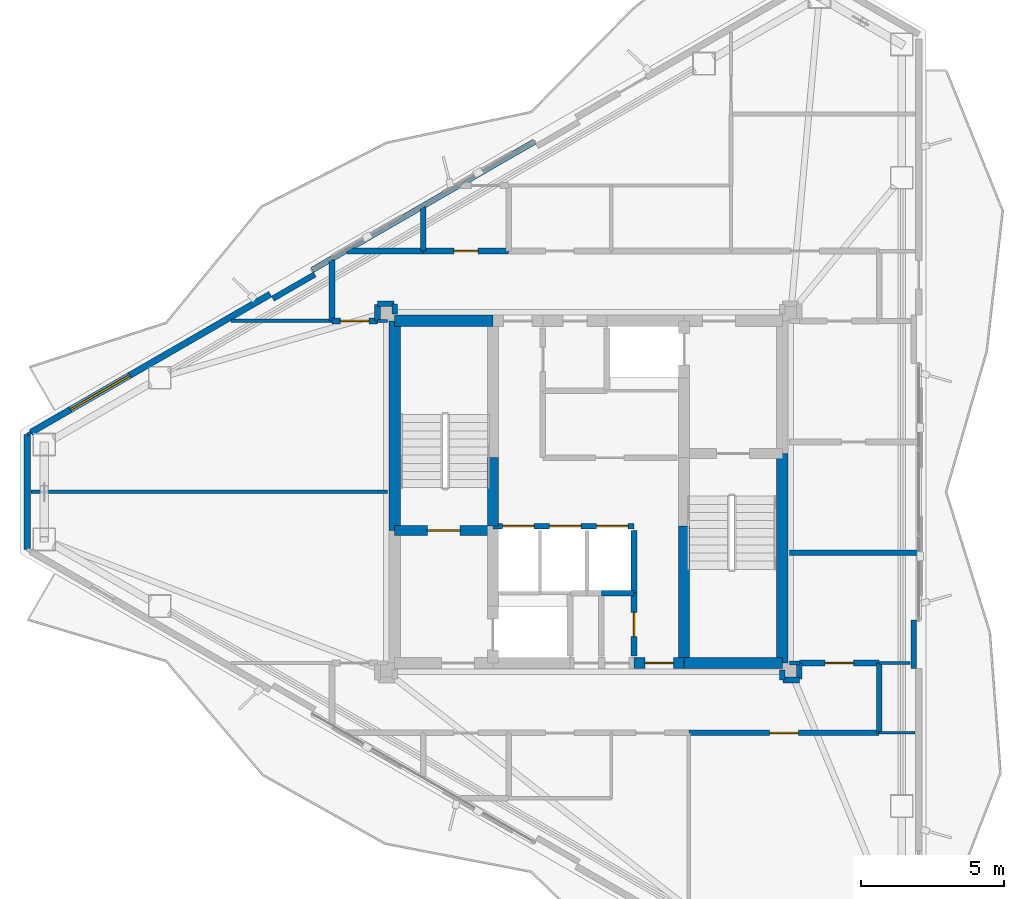
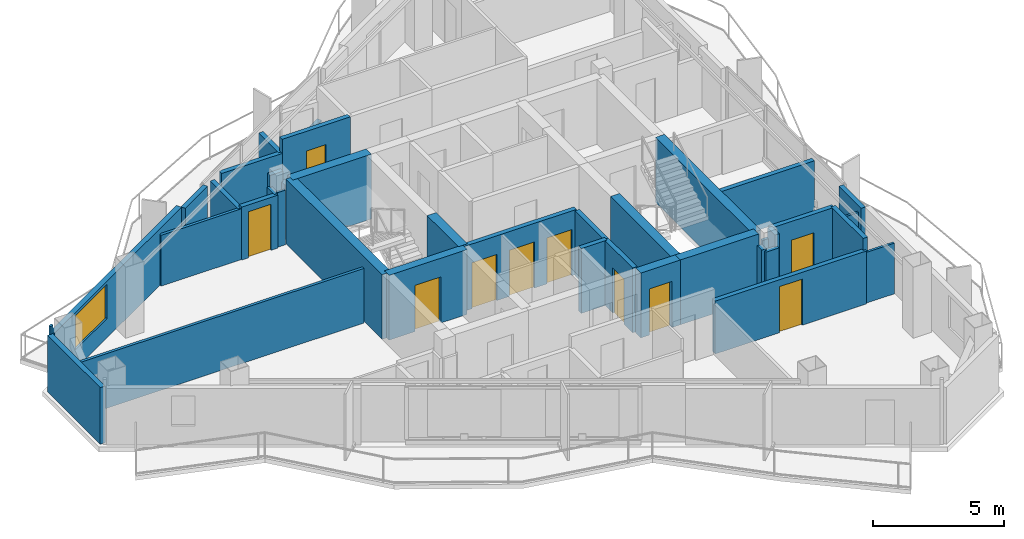
# One storey, part 17 of 21: 39 walls, 10 doors, 1 window, 11 openings.
"""IFC4 building model written with IfcOpenShell, lengths in metres."""

import ifcopenshell
import ifcopenshell.guid

model = None  # the IFC model being written
_history = None  # IfcOwnerHistory: only IFC2X3 demands one
_inside = {}  # id of a spatial element -> (the spatial element, [elements in it])
_under = {}  # id of a project, library or spatial element -> (it, [spatial elements below it])
_declared = {}  # id of a project -> (the project, [libraries it declares])
_typed = {}  # id of a type object -> (the type object, [elements of that type])
_made_of = {}  # id of a material, layer set ... -> (it, [elements and type objects made of it])


def new_model(schema):
    """Start an empty IFC model of exactly this schema.

    Asked for "IFC4X3", IfcOpenShell would pick the latest addendum, in which some entities
    have other attributes; the version numbers below select the first issue.
    IFC2X3 requires an IfcOwnerHistory on every rooted entity: one is made here for all.
    """
    global model, _history
    if schema == "IFC4X3":
        model = ifcopenshell.file(schema_version=(4, 3, 0, 0))
    else:
        model = ifcopenshell.file(schema=schema)
    _inside.clear()
    _under.clear()
    _declared.clear()
    _typed.clear()
    _made_of.clear()
    _history = None
    if model.schema == "IFC2X3":
        org = make("IfcOrganization", Name="unknown")
        user = make(
            "IfcPersonAndOrganization",
            ThePerson=make("IfcPerson", FamilyName="unknown"),
            TheOrganization=org,
        )
        app = make(
            "IfcApplication",
            ApplicationDeveloper=org,
            Version="unknown",
            ApplicationFullName="unknown",
            ApplicationIdentifier="unknown",
        )
        _history = make(
            "IfcOwnerHistory",
            OwningUser=user,
            OwningApplication=app,
            ChangeAction="ADDED",
            CreationDate=0,
        )
    return model


def make(cls, **values):
    """One entity of the class cls with the attributes given. An attribute that is None is left unset."""
    return model.create_entity(
        cls, **{name: value for name, value in values.items() if value is not None}
    )


def rooted(cls, **values):
    """An entity with a GlobalId (a new one), such as an element, a storey or a relation."""
    return make(cls, GlobalId=ifcopenshell.guid.new(), OwnerHistory=_history, **values)


def si_unit(unit_type, name, prefix=None):
    """IfcSIUnit, for example si_unit("LENGTHUNIT", "METRE", prefix="MILLI")."""
    return make("IfcSIUnit", UnitType=unit_type, Prefix=prefix, Name=name)


def assignment(units):
    """IfcUnitAssignment: the units of a project."""
    return None if units is None else make("IfcUnitAssignment", Units=units)


def point(xyz):
    """IfcCartesianPoint."""
    return None if xyz is None else make("IfcCartesianPoint", Coordinates=xyz)


def direction(xyz):
    """IfcDirection."""
    return None if xyz is None else make("IfcDirection", DirectionRatios=xyz)


def frame(location, z_axis=None, x_axis=None):
    """IfcAxis2Placement3D, a coordinate frame: its origin and axes. An axis left out is left unset."""
    return make(
        "IfcAxis2Placement3D",
        Location=point(location),
        Axis=direction(z_axis),
        RefDirection=direction(x_axis),
    )


def frame_2d(location, x_axis=None):
    """IfcAxis2Placement2D, a coordinate frame in the plane: its origin and x axis."""
    return make(
        "IfcAxis2Placement2D", Location=point(location), RefDirection=direction(x_axis)
    )


def origin():
    """The frame at (0, 0, 0) with its axes left unset."""
    return frame((0.0, 0.0, 0.0))


def place(relative_to, where):
    """IfcLocalPlacement: puts the frame where relative to a parent placement (None: the world)."""
    return make(
        "IfcLocalPlacement", PlacementRelTo=relative_to, RelativePlacement=where
    )


def context(
    kind, dimensions, precision=None, world=None, true_north=None, identifier=None
):
    """IfcGeometricRepresentationContext, for example the 3D "Model" context."""
    return make(
        "IfcGeometricRepresentationContext",
        ContextIdentifier=identifier,
        ContextType=kind,
        CoordinateSpaceDimension=dimensions,
        Precision=precision,
        WorldCoordinateSystem=world,
        TrueNorth=true_north,
    )


def subcontext(parent, identifier, kind, view, scale=None):
    """IfcGeometricRepresentationSubContext, for example "Body" below "Model"."""
    return make(
        "IfcGeometricRepresentationSubContext",
        ContextIdentifier=identifier,
        ContextType=kind,
        ParentContext=parent,
        TargetScale=scale,
        TargetView=view,
    )


def project(units=None, contexts=None):
    """IfcProject with its units and contexts."""
    return rooted(
        "IfcProject",
        Name="project",
        RepresentationContexts=contexts,
        UnitsInContext=assignment(units),
    )


def spatial(cls, under=None, at=None, **own):
    """A site, building, storey or space (cls), placed at a placement, below another one or the project."""
    s = rooted(cls, ObjectPlacement=at, **own)
    if under is not None:
        _under.setdefault(under.id(), (under, []))[1].append(s)
    return s


def profile(cls, at=None, kind="AREA", **sizes):
    """A parametric profile (cls). Its sizes go by their IFC names, for example OverallWidth=200.0."""
    return make(cls, ProfileType=kind, Position=at, **sizes)


def rectangle(**sizes):
    """IfcRectangleProfileDef."""
    return profile("IfcRectangleProfileDef", **sizes)


def extrude(swept, where, along, depth):
    """IfcExtrudedAreaSolid: the profile swept, set in the frame where, extruded along a direction by depth."""
    return make(
        "IfcExtrudedAreaSolid",
        SweptArea=swept,
        Position=where,
        ExtrudedDirection=direction(along),
        Depth=depth,
    )


def shape(context_of_items, identifier, shape_type, items):
    """IfcShapeRepresentation: the items that make up one representation, for example the "Body"."""
    return make(
        "IfcShapeRepresentation",
        ContextOfItems=context_of_items,
        RepresentationIdentifier=identifier,
        RepresentationType=shape_type,
        Items=items,
    )


def material(Name=None, Category=None):
    """IfcMaterial."""
    return make("IfcMaterial", Name=Name, Category=Category)


def layer(
    of_material, thickness, ventilated=None, Name=None, Category=None, Priority=None
):
    """IfcMaterialLayer: one layer of a wall or slab, of a material (None: an air gap)."""
    return make(
        "IfcMaterialLayer",
        Material=of_material,
        LayerThickness=thickness,
        IsVentilated=ventilated,
        Name=Name,
        Category=Category,
        Priority=Priority,
    )


def layer_set(layers, Name=None):
    """IfcMaterialLayerSet."""
    return make("IfcMaterialLayerSet", MaterialLayers=layers, LayerSetName=Name)


def made_of(thing, what):
    """Note that an element or type object is made of a material, layer set ...; save() writes the relation."""
    if what is not None:
        _made_of.setdefault(what.id(), (what, []))[1].append(thing)
    return thing


def type_object(cls, material=None, **own):
    """A type object (cls), such as IfcWallType, which elements share."""
    return made_of(rooted(cls, **own), material)


def element(
    cls,
    number,
    at=None,
    inside=None,
    cuts=None,
    type_object=None,
    material=None,
    context=None,
    identifier="Body",
    shape_type=None,
    held_by="IfcProductDefinitionShape",
    body=None,
    shapes=None,
    **own,
):
    """One element of the class cls, such as IfcWall. Its Tag is "e" and its number.

    at: its placement. inside: the storey or other place that contains it. cuts: it is an
    opening in that element (IfcRelVoidsElement). A single representation is given by context,
    identifier, shape_type and body (its items); several are given by shapes. held_by: the class
    of the entity that holds the representations. save() writes the other relations.
    """
    e = rooted(cls, Tag="e%d" % number, ObjectPlacement=at, **own)
    if body is not None:
        shapes = [shape(context, identifier, shape_type, body)]
    if shapes is not None:
        e.Representation = make(held_by, Representations=shapes)
    if inside is not None:
        _inside.setdefault(inside.id(), (inside, []))[1].append(e)
    if cuts is not None:
        rooted(
            "IfcRelVoidsElement", RelatingBuildingElement=cuts, RelatedOpeningElement=e
        )
    if type_object is not None:
        _typed.setdefault(type_object.id(), (type_object, []))[1].append(e)
    return made_of(e, material)


def fill(opening, filler):
    """IfcRelFillsElement: the door or window that sits in an opening."""
    return rooted(
        "IfcRelFillsElement",
        RelatingOpeningElement=opening,
        RelatedBuildingElement=filler,
    )


def aggregate(whole, parts):
    """IfcRelAggregates: a whole, such as a stair, and the parts it consists of."""
    return rooted("IfcRelAggregates", RelatingObject=whole, RelatedObjects=parts)


def save(model, path):
    """Write the relations noted so far, then the file.

    IfcRelAggregates (storeys below a building ...), IfcRelContainedInSpatialStructure (elements
    in a storey), IfcRelDefinesByType, IfcRelAssociatesMaterial and IfcRelDeclares: one each for
    every whole, place, type object, material and project.
    """
    for whole, parts in _under.values():
        aggregate(whole, parts)
    for where, things in _inside.values():
        rooted(
            "IfcRelContainedInSpatialStructure",
            RelatedElements=things,
            RelatingStructure=where,
        )
    for kind, things in _typed.values():
        rooted("IfcRelDefinesByType", RelatedObjects=things, RelatingType=kind)
    for what, things in _made_of.values():
        rooted("IfcRelAssociatesMaterial", RelatedObjects=things, RelatingMaterial=what)
    for by, libraries in _declared.values():
        rooted("IfcRelDeclares", RelatingContext=by, RelatedDefinitions=libraries)
    model.write(path)


model = new_model("IFC4")

# Units and contexts
model_context = context("Model", 3, precision=1e-05, world=origin(), true_north=direction((0.0, 1.0)))
body_context = subcontext(model_context, "Body", "Model", "MODEL_VIEW")
ifc_project = project(units=[si_unit("LENGTHUNIT", "METRE"), si_unit("AREAUNIT", "SQUARE_METRE"), si_unit("VOLUMEUNIT", "CUBIC_METRE"), si_unit("PLANEANGLEUNIT", "RADIAN"), si_unit("MASSUNIT", "GRAM", prefix="KILO")], contexts=[model_context])

# Site, building, storey
site_placement = place(None, origin())
site = spatial("IfcSite", under=ifc_project, at=site_placement, CompositionType="ELEMENT")
building_placement = place(site_placement, origin())
building = spatial("IfcBuilding", under=site, at=building_placement, Name="Mersakhor Tower and Convention Hall", CompositionType="ELEMENT")
storey_placement = place(building_placement, frame((0.0, 0.0, 215.10009765625)))
storey = spatial("IfcBuildingStorey", under=building, at=storey_placement, Name="L60", CompositionType="ELEMENT", Elevation=215.10009765625)

# Wall
ifc_material_1 = material(Name="Precast concrete C40/50", Category="concrete")
ifc_layer_1 = layer(ifc_material_1, 0.22509765625)
ifc_layer_set_1 = layer_set([ifc_layer_1], Name="Precast concrete C40/50")
wall_type_1 = type_object("IfcWallType", Name="WL-EXT-225", PredefinedType="SOLIDWALL", material=ifc_layer_set_1)
wall_1_placement = place(storey_placement, frame((9.3076171875, 24.73828125, 0.0), z_axis=(0.0, 0.0, 1.0), x_axis=(0.0, 1.0, 0.0)))
element("IfcWall", 1, at=wall_1_placement, inside=storey, type_object=wall_type_1, Name="L60 Chamfer Braced Spandrel Wall C3", PredefinedType="SOLIDWALL", context=body_context, shape_type="SweptSolid", body=[
    extrude(rectangle(XDim=4.0234375, YDim=0.22509765625, at=frame_2d((2.01171875, 0.0))), origin(), (0.0, 0.0, 1.0), 2.639892578125),
])

# Wall, opening, window
wall_2_placement = place(storey_placement, frame((9.4375, 28.836669921875, 0.0), z_axis=(0.0, 0.0, 1.0), x_axis=(0.866027133173, 0.499997004599, 0.0)))
wall_2 = element("IfcWall", 2, at=wall_2_placement, inside=storey, type_object=wall_type_1, Name="L60 Exterior Facade Wall F1-B1", PredefinedType="SOLIDWALL", context=body_context, shape_type="SweptSolid", body=[
    extrude(rectangle(XDim=9.69873046875, YDim=0.22509765625, at=frame_2d((4.849365234375, 0.0))), origin(), (0.0, 0.0, 1.0), 2.639892578125),
])
opening_1_placement = place(wall_2_placement, frame((1.60595703125, 0.0, 0.89990234375)))
opening_1 = element("IfcOpeningElement", 3, at=opening_1_placement, cuts=wall_2, Name="Opening W-05", PredefinedType="OPENING", context=body_context, shape_type="SweptSolid", body=[
    extrude(rectangle(XDim=2.39990234375, YDim=1.60009765625, at=frame_2d((1.199951171875, 0.800048828125))), frame((0.0, 0.12255859375, 0.0), z_axis=(0.0, -1.0, 0.0), x_axis=(1.0, 0.0, 0.0)), (0.0, 0.0, 1.0), 0.2451171875),
])
ifc_material_2 = material(Name="Dark solar low-E glazed aluminium window", Category="aluminium")
window_type = type_object("IfcWindowType", Name="WN-RES-240x160", PartitioningType="SINGLE_PANEL", PredefinedType="WINDOW", material=ifc_material_2)
window_placement = place(opening_1_placement, origin())
window = element("IfcWindow", 4, at=window_placement, inside=storey, type_object=window_type, Name="L60 Facade Punched Window F1-B1", OverallHeight=1.60009765625, OverallWidth=2.39990234375, PartitioningType="SINGLE_PANEL", PredefinedType="WINDOW", context=body_context, shape_type="SweptSolid", body=[
    extrude(rectangle(XDim=2.39990234375, YDim=1.60009765625, at=frame_2d((1.199951171875, 0.800048828125))), frame((0.0, 0.030029296875, 0.0), z_axis=(0.0, -1.0, 0.0), x_axis=(1.0, 0.0, 0.0)), (0.0, 0.0, 1.0), 0.06005859375),
])
fill(opening_1, window)

# Walls
ifc_material_3 = material(Name="Precast concrete C40/50", Category="concrete")
ifc_layer_2 = layer(ifc_material_3, 0.199951171875)
ifc_layer_set_2 = layer_set([ifc_layer_2], Name="Precast concrete C40/50")
wall_type_2 = type_object("IfcWallType", Name="WL-PAR-200", PredefinedType="PARAPET", material=ifc_layer_set_2)
wall_3_placement = place(storey_placement, frame((19.30908203125, 34.5361328125, 0.0), z_axis=(0.0, 0.0, 1.0), x_axis=(0.866020680503, 0.500008180874, 0.0)))
element("IfcWall", 5, at=wall_3_placement, inside=storey, type_object=wall_type_2, Name="L60 Curtain Wall Upstand Sill F1-B2", PredefinedType="PARAPET", context=body_context, shape_type="SweptSolid", body=[
    extrude(rectangle(XDim=8.998779296875, YDim=0.199951171875, at=frame_2d((4.49951171875, 0.0))), origin(), (0.0, 0.0, 1.0), 0.199951171875),
])
for number, where, z_axis, x_axis, name in (
    (6, (17.927001953125, 33.5302734375, 0.0), (0.0, 0.0, 1.0), (0.86605165483, 0.499954529098, 0.0), "L60 Column Pier Cladding Wall F1-C1"),
    (7, (40.408447265625, 22.25048828125, 0.0), (0.0, 0.0, 1.0), (0.0, -1.0, 0.0), "L60 Column Pier Cladding Wall F2-C2"),
):
    element("IfcWall", number, at=place(storey_placement, frame(where, z_axis=z_axis, x_axis=x_axis)), inside=storey, type_object=wall_type_2, Name=name, PredefinedType="PARAPET", context=body_context, shape_type="SweptSolid", body=[
        extrude(rectangle(XDim=1.699951171875, YDim=0.199951171875, at=frame_2d((0.85009765625, 0.0))), origin(), (0.0, 0.0, 1.0), 2.639892578125),
    ])
ifc_material_4 = material(Name="Lightweight gypsum partition", Category="other")
ifc_layer_3 = layer(ifc_material_4, 0.10009765625)
ifc_layer_set_3 = layer_set([ifc_layer_3], Name="Lightweight gypsum partition")
wall_type_3 = type_object("IfcWallType", Name="WL-PRT-100", PredefinedType="PARTITIONING", material=ifc_layer_set_3)
wall_4_placement = place(storey_placement, frame((21.60009765625, 32.75, 0.0), z_axis=(0.0, 0.0, 1.0), x_axis=(1.0, 0.0, 0.0)))
element("IfcWall", 8, at=wall_4_placement, inside=storey, type_object=wall_type_3, Name="L60 Interior Partition Wall P-052", PredefinedType="PARTITIONING", context=body_context, shape_type="SweptSolid", body=[
    extrude(rectangle(XDim=0.349853515625, YDim=0.10009765625, at=frame_2d((0.1748046875, 0.0))), origin(), (0.0, 0.0, 1.0), 2.544921875),
])
wall_5_placement = place(storey_placement, frame((9.306884765625, 28.761962890625, 0.0), z_axis=(0.0, 0.0, 1.0), x_axis=(0.865833797362, 0.500331725305, 0.0)))
element("IfcWall", 9, at=wall_5_placement, inside=storey, type_object=wall_type_3, Name="L60 Interior Partition Wall P-054", PredefinedType="PARTITIONING", context=body_context, shape_type="SweptSolid", body=[
    extrude(rectangle(XDim=0.150390625, YDim=0.10009765625, at=frame_2d((0.0751953125, 0.0))), origin(), (0.0, 0.0, 1.0), 3.02001953125),
])
wall_6_placement = place(storey_placement, frame((40.284423828125, 20.75, 0.0), z_axis=(0.0, 0.0, 1.0), x_axis=(-1.0, 0.0, 0.0)))
element("IfcWall", 10, at=wall_6_placement, inside=storey, type_object=wall_type_3, Name="L60 Interior Partition Wall P-058", PredefinedType="PARTITIONING", context=body_context, shape_type="SweptSolid", body=[
    extrude(rectangle(XDim=1.08447265625, YDim=0.10009765625, at=frame_2d((0.542236328125, 0.0))), origin(), (0.0, 0.0, 1.0), 2.364990234375),
])
wall_7_placement = place(storey_placement, frame((39.199951171875, 18.300048828125, 0.0), z_axis=(0.0, 0.0, 1.0), x_axis=(1.0, 0.0, 0.0)))
element("IfcWall", 11, at=wall_7_placement, inside=storey, type_object=wall_type_3, Name="L60 Interior Partition Wall P-078", PredefinedType="PARTITIONING", context=body_context, shape_type="SweptSolid", body=[
    extrude(rectangle(XDim=1.251953125, YDim=0.10009765625, at=frame_2d((0.6259765625, 0.0))), origin(), (0.0, 0.0, 1.0), 2.364990234375),
])
ifc_material_5 = material(Name="Gypsum board acoustic partition", Category="other")
ifc_layer_4 = layer(ifc_material_5, 0.125)
ifc_layer_set_4 = layer_set([ifc_layer_4], Name="Gypsum board acoustic partition")
wall_type_4 = type_object("IfcWallType", Name="WL-PRT-125", PredefinedType="PARTITIONING", material=ifc_layer_set_4)
wall_8_placement = place(storey_placement, frame((16.463623046875, 32.75, 0.0), z_axis=(0.0, 0.0, 1.0), x_axis=(1.0, 0.0, 0.0)))
element("IfcWall", 12, at=wall_8_placement, inside=storey, type_object=wall_type_4, Name="L60 Interior Partition Wall P-051", PredefinedType="PARTITIONING", context=body_context, shape_type="SweptSolid", body=[
    extrude(rectangle(XDim=3.536376953125, YDim=0.125, at=frame_2d((1.76806640625, 0.0))), origin(), (0.0, 0.0, 1.0), 2.364990234375),
])
wall_9_placement = place(storey_placement, frame((21.949951171875, 26.75, 0.0), z_axis=(0.0, 0.0, 1.0), x_axis=(-1.0, 0.0, 0.0)))
element("IfcWall", 13, at=wall_9_placement, inside=storey, type_object=wall_type_4, Name="L60 Interior Partition Wall P-053", PredefinedType="PARTITIONING", context=body_context, shape_type="SweptSolid", body=[
    extrude(rectangle(XDim=12.505859375, YDim=0.125, at=frame_2d((6.2529296875, 0.0))), origin(), (0.0, 0.0, 1.0), 2.544921875),
])
wall_10_placement = place(storey_placement, frame((36.39990234375, 20.75, 0.0), z_axis=(0.0, 0.0, 1.0), x_axis=(-1.0, 0.0, 0.0)))
element("IfcWall", 14, at=wall_10_placement, inside=storey, type_object=wall_type_4, Name="L60 Interior Partition Wall P-059", PredefinedType="PARTITIONING", context=body_context, shape_type="SweptSolid", body=[
    extrude(rectangle(XDim=0.349853515625, YDim=0.125, at=frame_2d((0.1748046875, 0.0))), origin(), (0.0, 0.0, 1.0), 2.544921875),
])

# Wall, openings, doors
ifc_material_6 = material(Name="Acoustic concrete blockwork and gypsum board", Category="masonry")
ifc_layer_5 = layer(ifc_material_6, 0.199951171875)
ifc_layer_set_5 = layer_set([ifc_layer_5], Name="Acoustic concrete blockwork and gypsum board")
wall_type_5 = type_object("IfcWallType", Name="WL-PRT-200", PredefinedType="PARTITIONING", material=ifc_layer_set_5)
wall_11_placement = place(storey_placement, frame((25.64990234375, 25.550048828125, 0.0), z_axis=(0.0, 0.0, 1.0), x_axis=(1.0, 0.0, 0.0)))
wall_11 = element("IfcWall", 15, at=wall_11_placement, inside=storey, type_object=wall_type_5, Name="L60 High-Rise Lift Bank Front Wall", PredefinedType="PARTITIONING", context=body_context, shape_type="SweptSolid", body=[
    extrude(rectangle(XDim=4.9501953125, YDim=0.199951171875, at=frame_2d((2.47509765625, 0.0))), origin(), (0.0, 0.0, 1.0), 3.02001953125),
])
opening_2_placement = place(wall_11_placement, frame((0.340087890625, 0.0, 0.0)))
opening_2 = element("IfcOpeningElement", 16, at=opening_2_placement, cuts=wall_11, Name="Opening LD-P4", PredefinedType="OPENING", context=body_context, shape_type="SweptSolid", body=[
    extrude(rectangle(XDim=1.10009765625, YDim=2.14990234375, at=frame_2d((0.550048828125, 1.074951171875))), frame((0.0, 0.10986328125, 0.0), z_axis=(0.0, -1.0, 0.0), x_axis=(1.0, 0.0, 0.0)), (0.0, 0.0, 1.0), 0.219970703125),
])
opening_3_placement = place(wall_11_placement, frame((1.989990234375, 0.0, 0.0)))
opening_3 = element("IfcOpeningElement", 17, at=opening_3_placement, cuts=wall_11, Name="Opening LD-P5", PredefinedType="OPENING", context=body_context, shape_type="SweptSolid", body=[
    extrude(rectangle(XDim=1.10009765625, YDim=2.14990234375, at=frame_2d((0.550048828125, 1.074951171875))), frame((0.0, 0.10986328125, 0.0), z_axis=(0.0, -1.0, 0.0), x_axis=(1.0, 0.0, 0.0)), (0.0, 0.0, 1.0), 0.219970703125),
])
opening_4_placement = place(wall_11_placement, frame((3.639892578125, 0.0, 0.0)))
opening_4 = element("IfcOpeningElement", 18, at=opening_4_placement, cuts=wall_11, Name="Opening LD-P6", PredefinedType="OPENING", context=body_context, shape_type="SweptSolid", body=[
    extrude(rectangle(XDim=1.10009765625, YDim=2.14990234375, at=frame_2d((0.550048828125, 1.074951171875))), frame((0.0, 0.10986328125, 0.0), z_axis=(0.0, -1.0, 0.0), x_axis=(1.0, 0.0, 0.0)), (0.0, 0.0, 1.0), 0.219970703125),
])
ifc_material_7 = material(Name="Fire-rated brushed stainless steel sliding landing door", Category="steel")
door_type_1 = type_object("IfcDoorType", Name="DR-LIFT-SLD-110x215", OperationType="NOTDEFINED", PredefinedType="DOOR", material=ifc_material_7)
door_1_placement = place(opening_2_placement, origin())
door_1 = element("IfcDoor", 19, at=door_1_placement, inside=storey, type_object=door_type_1, Name="L60 Lift Landing Door LD-P4", OperationType="SLIDING_TO_LEFT", OverallHeight=2.14990234375, OverallWidth=1.10009765625, PredefinedType="DOOR", context=body_context, shape_type="SweptSolid", body=[
    extrude(rectangle(XDim=1.10009765625, YDim=2.14990234375, at=frame_2d((0.550048828125, 1.074951171875))), frame((0.0, 0.02490234375, 0.0), z_axis=(0.0, -1.0, 0.0), x_axis=(1.0, 0.0, 0.0)), (0.0, 0.0, 1.0), 0.050048828125),
])
fill(opening_2, door_1)
door_2_placement = place(opening_3_placement, origin())
door_2 = element("IfcDoor", 20, at=door_2_placement, inside=storey, type_object=door_type_1, Name="L60 Lift Landing Door LD-P5", OperationType="SLIDING_TO_LEFT", OverallHeight=2.14990234375, OverallWidth=1.10009765625, PredefinedType="DOOR", context=body_context, shape_type="SweptSolid", body=[
    extrude(rectangle(XDim=1.10009765625, YDim=2.14990234375, at=frame_2d((0.550048828125, 1.074951171875))), frame((0.0, 0.02490234375, 0.0), z_axis=(0.0, -1.0, 0.0), x_axis=(1.0, 0.0, 0.0)), (0.0, 0.0, 1.0), 0.050048828125),
])
fill(opening_3, door_2)
door_3_placement = place(opening_4_placement, origin())
door_3 = element("IfcDoor", 21, at=door_3_placement, inside=storey, type_object=door_type_1, Name="L60 Lift Landing Door LD-P6", OperationType="SLIDING_TO_LEFT", OverallHeight=2.14990234375, OverallWidth=1.10009765625, PredefinedType="DOOR", context=body_context, shape_type="SweptSolid", body=[
    extrude(rectangle(XDim=1.10009765625, YDim=2.14990234375, at=frame_2d((0.550048828125, 1.074951171875))), frame((0.0, 0.02490234375, 0.0), z_axis=(0.0, -1.0, 0.0), x_axis=(1.0, 0.0, 0.0)), (0.0, 0.0, 1.0), 0.050048828125),
])
fill(opening_4, door_3)

# Walls
wall_12_placement = place(storey_placement, frame((30.60009765625, 25.39990234375, 0.0), z_axis=(0.0, 0.0, 1.0), x_axis=(0.0, -1.0, 0.0)))
element("IfcWall", 22, at=wall_12_placement, inside=storey, type_object=wall_type_5, Name="L60 Interior Partition Wall P-009", PredefinedType="PARTITIONING", context=body_context, shape_type="SweptSolid", body=[
    extrude(rectangle(XDim=2.199951171875, YDim=0.199951171875, at=frame_2d((1.10009765625, 0.0))), origin(), (0.0, 0.0, 1.0), 3.02001953125),
])
wall_13_placement = place(storey_placement, frame((30.60009765625, 23.199951171875, 0.0), z_axis=(0.0, 0.0, 1.0), x_axis=(-1.0, 0.0, 0.0)))
element("IfcWall", 23, at=wall_13_placement, inside=storey, type_object=wall_type_5, Name="L60 Interior Partition Wall P-010", PredefinedType="PARTITIONING", context=body_context, shape_type="SweptSolid", body=[
    extrude(rectangle(XDim=1.150146484375, YDim=0.199951171875, at=frame_2d((0.5751953125, 0.0))), origin(), (0.0, 0.0, 1.0), 3.02001953125),
])

# Wall, opening, door
wall_14_placement = place(storey_placement, frame((30.60009765625, 21.0, 0.0), z_axis=(0.0, 0.0, 1.0), x_axis=(0.0, 1.0, 0.0)))
wall_14 = element("IfcWall", 24, at=wall_14_placement, inside=storey, type_object=wall_type_5, Name="L60 Interior Partition Wall P-012", PredefinedType="PARTITIONING", context=body_context, shape_type="SweptSolid", body=[
    extrude(rectangle(XDim=2.199951171875, YDim=0.199951171875, at=frame_2d((1.10009765625, 0.0))), origin(), (0.0, 0.0, 1.0), 3.02001953125),
])
opening_5_placement = place(wall_14_placement, frame((0.675048828125, 0.0, 0.0)))
opening_5 = element("IfcOpeningElement", 25, at=opening_5_placement, cuts=wall_14, Name="Opening SVD-01", PredefinedType="OPENING", context=body_context, shape_type="SweptSolid", body=[
    extrude(rectangle(XDim=0.85009765625, YDim=2.10009765625, at=frame_2d((0.425048828125, 1.050048828125))), frame((0.0, 0.10986328125, 0.0), z_axis=(0.0, -1.0, 0.0), x_axis=(1.0, 0.0, 0.0)), (0.0, 0.0, 1.0), 0.219970703125),
])
ifc_material_8 = material(Name="Fire-rated hardwood leaf and painted steel frame", Category="steel")
door_type_2 = type_object("IfcDoorType", Name="DR-INT-SVC-085x210", OperationType="NOTDEFINED", PredefinedType="DOOR", material=ifc_material_8)
door_4_placement = place(opening_5_placement, origin())
door_4 = element("IfcDoor", 26, at=door_4_placement, inside=storey, type_object=door_type_2, Name="L60 Central Passenger Lift Lobby to Core Maintenance Store Room Door", OperationType="SINGLE_SWING_RIGHT", OverallHeight=2.10009765625, OverallWidth=0.85009765625, PredefinedType="DOOR", context=body_context, shape_type="SweptSolid", body=[
    extrude(rectangle(XDim=0.85009765625, YDim=2.10009765625, at=frame_2d((0.425048828125, 1.050048828125))), frame((0.0, 0.02490234375, 0.0), z_axis=(0.0, -1.0, 0.0), x_axis=(1.0, 0.0, 0.0)), (0.0, 0.0, 1.0), 0.050048828125),
])
fill(opening_5, door_4)

# Walls
wall_15_placement = place(storey_placement, frame((22.199951171875, 33.0, 0.0), z_axis=(0.0, 0.0, 1.0), x_axis=(0.0, 1.0, 0.0)))
element("IfcWall", 27, at=wall_15_placement, inside=storey, type_object=wall_type_5, Name="L60 Interior Partition Wall P-021", PredefinedType="PARTITIONING", context=body_context, shape_type="SweptSolid", body=[
    extrude(rectangle(XDim=0.35009765625, YDim=0.199951171875, at=frame_2d((0.175048828125, 0.0))), origin(), (0.0, 0.0, 1.0), 2.544921875),
])
wall_16_placement = place(storey_placement, frame((22.169921875, 33.35009765625, 0.0), z_axis=(0.0, 0.0, 1.0), x_axis=(-1.0, 0.0, 0.0)))
element("IfcWall", 28, at=wall_16_placement, inside=storey, type_object=wall_type_5, Name="L60 Interior Partition Wall P-022", PredefinedType="PARTITIONING", context=body_context, shape_type="SweptSolid", body=[
    extrude(rectangle(XDim=0.56982421875, YDim=0.199951171875, at=frame_2d((0.284912109375, 0.0))), origin(), (0.0, 0.0, 1.0), 3.02001953125),
])
wall_17_placement = place(storey_placement, frame((21.60009765625, 33.320068359375, 0.0), z_axis=(0.0, 0.0, 1.0), x_axis=(0.0, -1.0, 0.0)))
element("IfcWall", 29, at=wall_17_placement, inside=storey, type_object=wall_type_5, Name="L60 Interior Partition Wall P-023", PredefinedType="PARTITIONING", context=body_context, shape_type="SweptSolid", body=[
    extrude(rectangle(XDim=0.570068359375, YDim=0.199951171875, at=frame_2d((0.28515625, 0.0))), origin(), (0.0, 0.0, 1.0), 2.46826171875),
])

# Wall, opening, door
wall_18_placement = place(storey_placement, frame((21.60009765625, 32.75, 0.0), z_axis=(0.0, 0.0, 1.0), x_axis=(-1.0, 0.0, 0.0)))
wall_18 = element("IfcWall", 30, at=wall_18_placement, inside=storey, type_object=wall_type_5, Name="L60 Interior Partition Wall P-024", PredefinedType="PARTITIONING", context=body_context, shape_type="SweptSolid", body=[
    extrude(rectangle(XDim=1.60009765625, YDim=0.199951171875, at=frame_2d((0.800048828125, 0.0))), origin(), (0.0, 0.0, 1.0), 2.46826171875),
])
opening_6_placement = place(wall_18_placement, frame((0.300048828125, 0.0, 0.0)))
opening_6 = element("IfcOpeningElement", 31, at=opening_6_placement, cuts=wall_18, Name="Opening FD-01", PredefinedType="OPENING", context=body_context, shape_type="SweptSolid", body=[
    extrude(rectangle(XDim=1.0, YDim=2.14990234375, at=frame_2d((0.5, 1.074951171875))), frame((0.0, 0.10986328125, 0.0), z_axis=(0.0, -1.0, 0.0), x_axis=(1.0, 0.0, 0.0)), (0.0, 0.0, 1.0), 0.219970703125),
])
ifc_material_9 = material(Name="Fire-rated hardwood leaf and painted steel frame", Category="steel")
door_type_3 = type_object("IfcDoorType", Name="DR-INT-FLT-100x215", OperationType="NOTDEFINED", PredefinedType="DOOR", material=ifc_material_9)
door_5_placement = place(opening_6_placement, origin())
door_5 = element("IfcDoor", 32, at=door_5_placement, inside=storey, type_object=door_type_3, Name="L60 Residential North Gallery Corridor to L60 West Wing Art and Craft Teaching Room Door", OperationType="SINGLE_SWING_LEFT", OverallHeight=2.14990234375, OverallWidth=1.0, PredefinedType="DOOR", context=body_context, shape_type="SweptSolid", body=[
    extrude(rectangle(XDim=1.0, YDim=2.14990234375, at=frame_2d((0.5, 1.074951171875))), frame((0.0, 0.02490234375, 0.0), z_axis=(0.0, -1.0, 0.0), x_axis=(1.0, 0.0, 0.0)), (0.0, 0.0, 1.0), 0.050048828125),
])
fill(opening_6, door_5)

# Walls
wall_19_placement = place(storey_placement, frame((20.0, 32.75, 0.0), z_axis=(0.0, 0.0, 1.0), x_axis=(0.0, 1.0, 0.0)))
element("IfcWall", 33, at=wall_19_placement, inside=storey, type_object=wall_type_5, Name="L60 Interior Partition Wall P-025", PredefinedType="PARTITIONING", context=body_context, shape_type="SweptSolid", body=[
    extrude(rectangle(XDim=2.14111328125, YDim=0.199951171875, at=frame_2d((1.070556640625, 0.0))), origin(), (0.0, 0.0, 1.0), 2.364990234375),
])
wall_20_placement = place(storey_placement, frame((20.5283203125, 35.199951171875, 0.0), z_axis=(0.0, 0.0, 1.0), x_axis=(1.0, 0.0, 0.0)))
element("IfcWall", 34, at=wall_20_placement, inside=storey, type_object=wall_type_5, Name="L60 Interior Partition Wall P-026", PredefinedType="PARTITIONING", context=body_context, shape_type="SweptSolid", body=[
    extrude(rectangle(XDim=2.671630859375, YDim=0.199951171875, at=frame_2d((1.3359375, 0.0))), origin(), (0.0, 0.0, 1.0), 2.364990234375),
])

# Wall, opening, door
wall_21_placement = place(storey_placement, frame((23.199951171875, 35.199951171875, 0.0), z_axis=(0.0, 0.0, 1.0), x_axis=(1.0, 0.0, 0.0)))
wall_21 = element("IfcWall", 35, at=wall_21_placement, inside=storey, type_object=wall_type_5, Name="L60 Interior Partition Wall P-027", PredefinedType="PARTITIONING", context=body_context, shape_type="SweptSolid", body=[
    extrude(rectangle(XDim=3.0, YDim=0.199951171875, at=frame_2d((1.5, 0.0))), origin(), (0.0, 0.0, 1.0), 3.02001953125),
])
opening_7_placement = place(wall_21_placement, frame((1.074951171875, 0.0, 0.0)))
opening_7 = element("IfcOpeningElement", 36, at=opening_7_placement, cuts=wall_21, Name="Opening SVD-01", PredefinedType="OPENING", context=body_context, shape_type="SweptSolid", body=[
    extrude(rectangle(XDim=0.85009765625, YDim=2.10009765625, at=frame_2d((0.425048828125, 1.050048828125))), frame((0.0, 0.10986328125, 0.0), z_axis=(0.0, -1.0, 0.0), x_axis=(1.0, 0.0, 0.0)), (0.0, 0.0, 1.0), 0.219970703125),
])
door_6_placement = place(opening_7_placement, origin())
door_6 = element("IfcDoor", 37, at=door_6_placement, inside=storey, type_object=door_type_2, Name="L60 Residential North Gallery Corridor to L60 Floor Household Store Room 1-1 Door", OperationType="SINGLE_SWING_RIGHT", OverallHeight=2.10009765625, OverallWidth=0.85009765625, PredefinedType="DOOR", context=body_context, shape_type="SweptSolid", body=[
    extrude(rectangle(XDim=0.85009765625, YDim=2.10009765625, at=frame_2d((0.425048828125, 1.050048828125))), frame((0.0, 0.02490234375, 0.0), z_axis=(0.0, -1.0, 0.0), x_axis=(1.0, 0.0, 0.0)), (0.0, 0.0, 1.0), 0.050048828125),
])
fill(opening_7, door_6)

# Walls
wall_22_placement = place(storey_placement, frame((35.800048828125, 20.5, 0.0), z_axis=(0.0, 0.0, 1.0), x_axis=(0.0, -1.0, 0.0)))
element("IfcWall", 38, at=wall_22_placement, inside=storey, type_object=wall_type_5, Name="L60 Interior Partition Wall P-035", PredefinedType="PARTITIONING", context=body_context, shape_type="SweptSolid", body=[
    extrude(rectangle(XDim=0.35009765625, YDim=0.199951171875, at=frame_2d((0.175048828125, 0.0))), origin(), (0.0, 0.0, 1.0), 2.544921875),
])
wall_23_placement = place(storey_placement, frame((35.830078125, 20.14990234375, 0.0), z_axis=(0.0, 0.0, 1.0), x_axis=(1.0, 0.0, 0.0)))
element("IfcWall", 39, at=wall_23_placement, inside=storey, type_object=wall_type_5, Name="L60 Interior Partition Wall P-036", PredefinedType="PARTITIONING", context=body_context, shape_type="SweptSolid", body=[
    extrude(rectangle(XDim=0.56982421875, YDim=0.199951171875, at=frame_2d((0.284912109375, 0.0))), origin(), (0.0, 0.0, 1.0), 2.46826171875),
])
wall_24_placement = place(storey_placement, frame((36.39990234375, 20.179931640625, 0.0), z_axis=(0.0, 0.0, 1.0), x_axis=(0.0, 1.0, 0.0)))
element("IfcWall", 40, at=wall_24_placement, inside=storey, type_object=wall_type_5, Name="L60 Interior Partition Wall P-037", PredefinedType="PARTITIONING", context=body_context, shape_type="SweptSolid", body=[
    extrude(rectangle(XDim=0.570068359375, YDim=0.199951171875, at=frame_2d((0.28515625, 0.0))), origin(), (0.0, 0.0, 1.0), 3.02001953125),
])

# Wall, opening, door
wall_25_placement = place(storey_placement, frame((36.39990234375, 20.75, 0.0), z_axis=(0.0, 0.0, 1.0), x_axis=(1.0, 0.0, 0.0)))
wall_25 = element("IfcWall", 41, at=wall_25_placement, inside=storey, type_object=wall_type_5, Name="L60 Interior Partition Wall P-038", PredefinedType="PARTITIONING", context=body_context, shape_type="SweptSolid", body=[
    extrude(rectangle(XDim=2.800048828125, YDim=0.199951171875, at=frame_2d((1.39990234375, 0.0))), origin(), (0.0, 0.0, 1.0), 3.02001953125),
])
opening_8_placement = place(wall_25_placement, frame((0.89990234375, 0.0, 0.0)))
opening_8 = element("IfcOpeningElement", 42, at=opening_8_placement, cuts=wall_25, Name="Opening FD-01", PredefinedType="OPENING", context=body_context, shape_type="SweptSolid", body=[
    extrude(rectangle(XDim=1.0, YDim=2.14990234375, at=frame_2d((0.5, 1.074951171875))), frame((0.0, 0.10986328125, 0.0), z_axis=(0.0, -1.0, 0.0), x_axis=(1.0, 0.0, 0.0)), (0.0, 0.0, 1.0), 0.219970703125),
])
door_7_placement = place(opening_8_placement, origin())
door_7 = element("IfcDoor", 43, at=door_7_placement, inside=storey, type_object=door_type_3, Name="L60 Residential South Gallery Corridor to L60 East Wing Shared Laundry Room Door", OperationType="SINGLE_SWING_RIGHT", OverallHeight=2.14990234375, OverallWidth=1.0, PredefinedType="DOOR", context=body_context, shape_type="SweptSolid", body=[
    extrude(rectangle(XDim=1.0, YDim=2.14990234375, at=frame_2d((0.5, 1.074951171875))), frame((0.0, 0.02490234375, 0.0), z_axis=(0.0, -1.0, 0.0), x_axis=(1.0, 0.0, 0.0)), (0.0, 0.0, 1.0), 0.050048828125),
])
fill(opening_8, door_7)

# Wall
wall_26_placement = place(storey_placement, frame((39.199951171875, 20.75, 0.0), z_axis=(0.0, 0.0, 1.0), x_axis=(0.0, -1.0, 0.0)))
element("IfcWall", 44, at=wall_26_placement, inside=storey, type_object=wall_type_5, Name="L60 Interior Partition Wall P-039", PredefinedType="PARTITIONING", context=body_context, shape_type="SweptSolid", body=[
    extrude(rectangle(XDim=2.449951171875, YDim=0.199951171875, at=frame_2d((1.22509765625, 0.0))), origin(), (0.0, 0.0, 1.0), 3.02001953125),
])

# Wall, opening, door
wall_27_placement = place(storey_placement, frame((39.199951171875, 18.300048828125, 0.0), z_axis=(0.0, 0.0, 1.0), x_axis=(-1.0, 0.0, 0.0)))
wall_27 = element("IfcWall", 45, at=wall_27_placement, inside=storey, type_object=wall_type_5, Name="L60 Interior Partition Wall P-040", PredefinedType="PARTITIONING", context=body_context, shape_type="SweptSolid", body=[
    extrude(rectangle(XDim=6.679931640625, YDim=0.199951171875, at=frame_2d((3.33984375, 0.0))), origin(), (0.0, 0.0, 1.0), 2.46826171875),
])
opening_9_placement = place(wall_27_placement, frame((2.840087890625, 0.0, 0.0)))
opening_9 = element("IfcOpeningElement", 46, at=opening_9_placement, cuts=wall_27, Name="Opening FD-01", PredefinedType="OPENING", context=body_context, shape_type="SweptSolid", body=[
    extrude(rectangle(XDim=1.0, YDim=2.14990234375, at=frame_2d((0.5, 1.074951171875))), frame((0.0, 0.10986328125, 0.0), z_axis=(0.0, -1.0, 0.0), x_axis=(1.0, 0.0, 0.0)), (0.0, 0.0, 1.0), 0.219970703125),
])
door_8_placement = place(opening_9_placement, origin())
door_8 = element("IfcDoor", 47, at=door_8_placement, inside=storey, type_object=door_type_3, Name="L60 Residential South Gallery Corridor to L60 Floor Residents Study Room 2-4 Door", OperationType="SINGLE_SWING_RIGHT", OverallHeight=2.14990234375, OverallWidth=1.0, PredefinedType="DOOR", context=body_context, shape_type="SweptSolid", body=[
    extrude(rectangle(XDim=1.0, YDim=2.14990234375, at=frame_2d((0.5, 1.074951171875))), frame((0.0, 0.02490234375, 0.0), z_axis=(0.0, -1.0, 0.0), x_axis=(1.0, 0.0, 0.0)), (0.0, 0.0, 1.0), 0.050048828125),
])
fill(opening_9, door_8)

# Walls
wall_28_placement = place(storey_placement, frame((36.050048828125, 24.6201171875, 0.0), z_axis=(0.0, 0.0, 1.0), x_axis=(1.0, 0.0, 0.0)))
element("IfcWall", 48, at=wall_28_placement, inside=storey, type_object=wall_type_5, Name="L60 Interior Partition Wall P-060", PredefinedType="PARTITIONING", context=body_context, shape_type="SweptSolid", body=[
    extrude(rectangle(XDim=4.500244140625, YDim=0.199951171875, at=frame_2d((2.25, 0.0))), origin(), (0.0, 0.0, 1.0), 2.364990234375),
])
wall_29_placement = place(storey_placement, frame((23.199951171875, 35.199951171875, 0.0), z_axis=(0.0, 0.0, 1.0), x_axis=(0.0, 1.0, 0.0)))
element("IfcWall", 49, at=wall_29_placement, inside=storey, type_object=wall_type_5, Name="L60 Interior Partition Wall P-063", PredefinedType="PARTITIONING", context=body_context, shape_type="SweptSolid", body=[
    extrude(rectangle(XDim=1.53857421875, YDim=0.199951171875, at=frame_2d((0.769287109375, 0.0))), origin(), (0.0, 0.0, 1.0), 2.364990234375),
])

# Wall, opening, door
ifc_material_10 = material(Name="Concrete C50/60", Category="concrete")
ifc_layer_6 = layer(ifc_material_10, 0.35009765625)
ifc_layer_set_6 = layer_set([ifc_layer_6], Name="Concrete C50/60")
wall_type_6 = type_object("IfcWallType", Name="WL-SHR-350", PredefinedType="SHEAR", material=ifc_layer_set_6)
wall_30_placement = place(storey_placement, frame((22.199951171875, 25.39990234375, 0.0), z_axis=(0.0, 0.0, 1.0), x_axis=(1.0, 0.0, 0.0)))
wall_30 = element("IfcWall", 50, at=wall_30_placement, inside=storey, type_object=wall_type_6, Name="L60 Core Wall CS-ST1-S", PredefinedType="SHEAR", context=body_context, shape_type="SweptSolid", body=[
    extrude(rectangle(XDim=3.449951171875, YDim=0.35009765625, at=frame_2d((1.72509765625, 0.0))), origin(), (0.0, 0.0, 1.0), 3.02001953125),
])
opening_10_placement = place(wall_30_placement, frame((1.14990234375, 0.0, 0.0)))
opening_10 = element("IfcOpeningElement", 51, at=opening_10_placement, cuts=wall_30, Name="Opening SD-01", PredefinedType="OPENING", context=body_context, shape_type="SweptSolid", body=[
    extrude(rectangle(XDim=1.14990234375, YDim=2.14990234375, at=frame_2d((0.574951171875, 1.074951171875))), frame((0.0, 0.18505859375, 0.0), z_axis=(0.0, -1.0, 0.0), x_axis=(1.0, 0.0, 0.0)), (0.0, 0.0, 1.0), 0.3701171875),
])
ifc_material_11 = material(Name="Fire-rated hardwood leaf and painted steel frame", Category="steel")
door_type_4 = type_object("IfcDoorType", Name="DR-INT-STAIR-115x215", OperationType="NOTDEFINED", PredefinedType="DOOR", material=ifc_material_11)
door_9_placement = place(opening_10_placement, origin())
door_9 = element("IfcDoor", 52, at=door_9_placement, inside=storey, type_object=door_type_4, Name="L60 Exit Stair ST-1 Enclosure Door", OperationType="SINGLE_SWING_LEFT", OverallHeight=2.14990234375, OverallWidth=1.14990234375, PredefinedType="DOOR", context=body_context, shape_type="SweptSolid", body=[
    extrude(rectangle(XDim=1.14990234375, YDim=2.14990234375, at=frame_2d((0.574951171875, 1.074951171875))), frame((0.0, 0.02490234375, 0.0), z_axis=(0.0, -1.0, 0.0), x_axis=(1.0, 0.0, 0.0)), (0.0, 0.0, 1.0), 0.050048828125),
])
fill(opening_10, door_9)

# Walls
ifc_material_12 = material(Name="Concrete C60/75", Category="concrete")
ifc_layer_7 = layer(ifc_material_12, 0.39990234375)
ifc_layer_set_7 = layer_set([ifc_layer_7], Name="Concrete C60/75")
wall_type_7 = type_object("IfcWallType", Name="WL-SHR-400", PredefinedType="SHEAR", material=ifc_layer_set_7)
wall_31_placement = place(storey_placement, frame((22.199951171875, 25.39990234375, 0.0), z_axis=(0.0, 0.0, 1.0), x_axis=(0.0, 1.0, 0.0)))
element("IfcWall", 53, at=wall_31_placement, inside=storey, type_object=wall_type_7, Name="L60 Core Wall CW-W2", PredefinedType="SHEAR", context=body_context, shape_type="SweptSolid", body=[
    extrude(rectangle(XDim=7.35009765625, YDim=0.39990234375, at=frame_2d((3.675048828125, 0.0))), origin(), (0.0, 0.0, 1.0), 3.02001953125),
])
wall_32_placement = place(storey_placement, frame((22.199951171875, 32.75, 0.0), z_axis=(0.0, 0.0, 1.0), x_axis=(1.0, 0.0, 0.0)))
element("IfcWall", 54, at=wall_32_placement, inside=storey, type_object=wall_type_7, Name="L60 Core Wall CW-N1", PredefinedType="SHEAR", context=body_context, shape_type="SweptSolid", body=[
    extrude(rectangle(XDim=3.449951171875, YDim=0.39990234375, at=frame_2d((1.72509765625, 0.0))), origin(), (0.0, 0.0, 1.0), 3.02001953125),
])
wall_33_placement = place(storey_placement, frame((35.800048828125, 28.10009765625, 0.0), z_axis=(0.0, 0.0, 1.0), x_axis=(0.0, -1.0, 0.0)))
element("IfcWall", 55, at=wall_33_placement, inside=storey, type_object=wall_type_7, Name="L60 Core Wall CW-E2", PredefinedType="SHEAR", context=body_context, shape_type="SweptSolid", body=[
    extrude(rectangle(XDim=7.35009765625, YDim=0.39990234375, at=frame_2d((3.675048828125, 0.0))), origin(), (0.0, 0.0, 1.0), 3.02001953125),
])
wall_34_placement = place(storey_placement, frame((35.800048828125, 20.75, 0.0), z_axis=(0.0, 0.0, 1.0), x_axis=(-1.0, 0.0, 0.0)))
element("IfcWall", 56, at=wall_34_placement, inside=storey, type_object=wall_type_7, Name="L60 Core Wall CW-S1", PredefinedType="SHEAR", context=body_context, shape_type="SweptSolid", body=[
    extrude(rectangle(XDim=3.449951171875, YDim=0.39990234375, at=frame_2d((1.72509765625, 0.0))), origin(), (0.0, 0.0, 1.0), 3.02001953125),
])

# Wall, opening, door
wall_35_placement = place(storey_placement, frame((32.35009765625, 20.75, 0.0), z_axis=(0.0, 0.0, 1.0), x_axis=(-1.0, 0.0, 0.0)))
wall_35 = element("IfcWall", 57, at=wall_35_placement, inside=storey, type_object=wall_type_7, Name="L60 Core Wall CW-S2A", PredefinedType="SHEAR", context=body_context, shape_type="SweptSolid", body=[
    extrude(rectangle(XDim=1.75, YDim=0.39990234375, at=frame_2d((0.875, 0.0))), origin(), (0.0, 0.0, 1.0), 3.02001953125),
])
opening_11_placement = place(wall_35_placement, frame((0.375, 0.0, 0.0)))
opening_11 = element("IfcOpeningElement", 58, at=opening_11_placement, cuts=wall_35, Name="Opening CFD-01", PredefinedType="OPENING", context=body_context, shape_type="SweptSolid", body=[
    extrude(rectangle(XDim=1.0, YDim=2.14990234375, at=frame_2d((0.5, 1.074951171875))), frame((0.0, 0.2099609375, 0.0), z_axis=(0.0, -1.0, 0.0), x_axis=(1.0, 0.0, 0.0)), (0.0, 0.0, 1.0), 0.419921875),
])
ifc_material_13 = material(Name="Fire-rated hardwood leaf and painted steel frame", Category="steel")
door_type_5 = type_object("IfcDoorType", Name="DR-CORE-FD-100x215", OperationType="NOTDEFINED", PredefinedType="DOOR", material=ifc_material_13)
door_10_placement = place(opening_11_placement, origin())
door_10 = element("IfcDoor", 59, at=door_10_placement, inside=storey, type_object=door_type_5, Name="L60 Lift Lobby South Corridor Door", OperationType="SINGLE_SWING_RIGHT", OverallHeight=2.14990234375, OverallWidth=1.0, PredefinedType="DOOR", context=body_context, shape_type="SweptSolid", body=[
    extrude(rectangle(XDim=1.0, YDim=2.14990234375, at=frame_2d((0.5, 1.074951171875))), frame((0.0, 0.02490234375, 0.0), z_axis=(0.0, -1.0, 0.0), x_axis=(1.0, 0.0, 0.0)), (0.0, 0.0, 1.0), 0.050048828125),
])
fill(opening_11, door_10)

# Walls
wall_36_placement = place(storey_placement, frame((25.64990234375, 25.550048828125, 0.0), z_axis=(0.0, 0.0, 1.0), x_axis=(0.0, 1.0, 0.0)))
element("IfcWall", 60, at=wall_36_placement, inside=storey, type_object=wall_type_7, Name="L60 Core Wall CS-W-LOB", PredefinedType="SHEAR", context=body_context, shape_type="SweptSolid", body=[
    extrude(rectangle(XDim=2.39990234375, YDim=0.39990234375, at=frame_2d((1.199951171875, 0.0))), origin(), (0.0, 0.0, 1.0), 3.02001953125),
])
wall_37_placement = place(storey_placement, frame((32.35009765625, 20.75, 0.0), z_axis=(0.0, 0.0, 1.0), x_axis=(0.0, 1.0, 0.0)))
element("IfcWall", 61, at=wall_37_placement, inside=storey, type_object=wall_type_7, Name="L60 Core Wall CS-E-ST2", PredefinedType="SHEAR", context=body_context, shape_type="SweptSolid", body=[
    extrude(rectangle(XDim=4.800048828125, YDim=0.39990234375, at=frame_2d((2.39990234375, 0.0))), origin(), (0.0, 0.0, 1.0), 3.02001953125),
])

save(model, "model.ifc")
